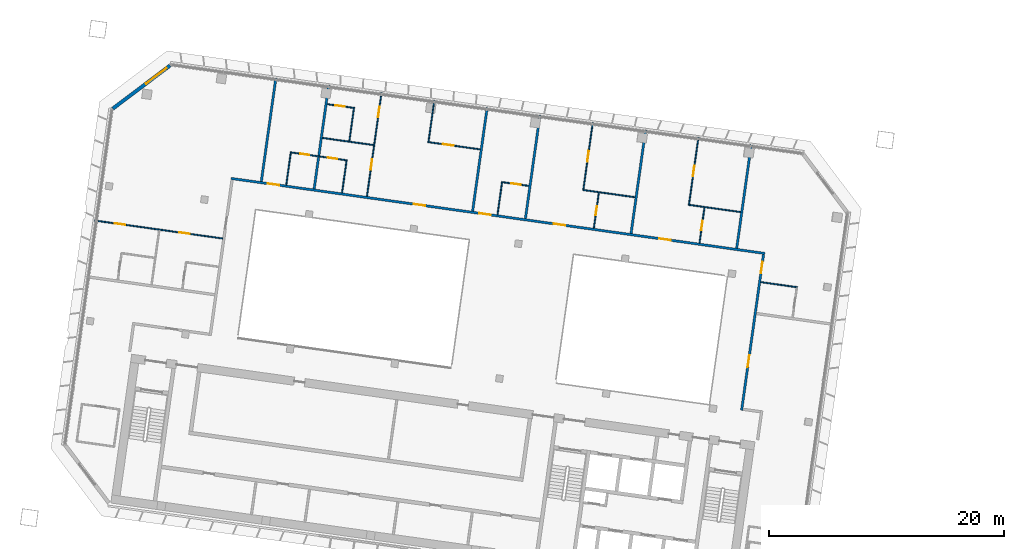
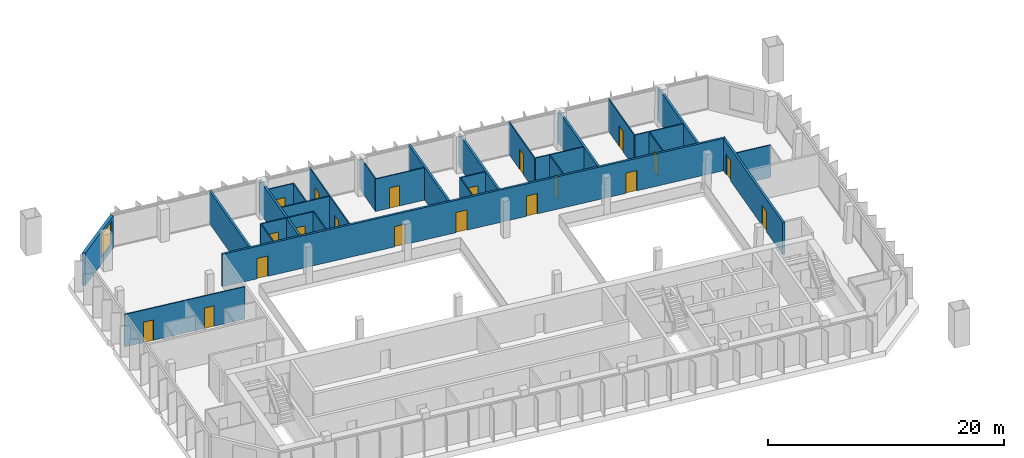
# One storey, part 17 of 25: 28 walls, 20 doors, 1 window, 21 openings.
"""IFC4 building model written with IfcOpenShell, lengths in metres."""

from ifc_helpers import new_model, si_unit, direction, frame, frame_2d, origin, place, context, subcontext, project, spatial, rectangle, extrude, material, layer, layer_set, type_object, element, fill, save


model = new_model("IFC4")

# Units and contexts
model_context = context("Model", 3, precision=1e-05, world=origin(), true_north=direction((0.0, 1.0)))
body_context = subcontext(model_context, "Body", "Model", "MODEL_VIEW")
ifc_project = project(units=[si_unit("LENGTHUNIT", "METRE"), si_unit("AREAUNIT", "SQUARE_METRE"), si_unit("VOLUMEUNIT", "CUBIC_METRE"), si_unit("PLANEANGLEUNIT", "RADIAN"), si_unit("MASSUNIT", "GRAM", prefix="KILO")], contexts=[model_context])

# Site, building, storey
site_placement = place(None, origin())
site = spatial("IfcSite", under=ifc_project, at=site_placement, CompositionType="ELEMENT")
building_placement = place(site_placement, origin())
building = spatial("IfcBuilding", under=site, at=building_placement, Name="Mirante Cascada Hotel Towers", CompositionType="ELEMENT")
storey_placement = place(building_placement, frame((0.0, 0.0, 172.6)))
storey = spatial("IfcBuildingStorey", under=building, at=storey_placement, Name="L40", CompositionType="ELEMENT", Elevation=172.6)

# Wall, openings, doors
ifc_material_1 = material(Name="Fire-rated plasterboard on metal studs")
ifc_layer_1 = layer(ifc_material_1, 0.2)
ifc_layer_set_1 = layer_set([ifc_layer_1], Name="Compartment wall 200 EI 120")
wall_type_1 = type_object("IfcWallType", Name="Compartment wall 200 EI 120", PredefinedType="PARTITIONING", material=ifc_layer_set_1)
wall_1_placement = place(storey_placement, frame((-34.6489, 8.7516, 0.0), z_axis=(0.0, 0.0, 1.0), x_axis=(-0.9902679, 0.1391743, 0.0)))
wall_1 = element("IfcWall", 1, at=wall_1_placement, inside=storey, type_object=wall_type_1, Name="Wall 1-L40-13", PredefinedType="PARTITIONING", context=body_context, shape_type="SweptSolid", body=[
    extrude(rectangle(XDim=45.9, YDim=0.2, at=frame_2d((22.95, 0.0))), origin(), (0.0, 0.0, 1.0), 3.35),
])
opening_1_placement = place(wall_1_placement, frame((8.0777, 0.0, 0.0)))
opening_1 = element("IfcOpeningElement", 2, at=opening_1_placement, cuts=wall_1, Name="Opening D1-L40-06", PredefinedType="OPENING", context=body_context, shape_type="SweptSolid", body=[
    extrude(rectangle(XDim=1.0, YDim=2.1, at=frame_2d((0.5, 1.05))), frame((0.0, 0.1, 0.0), z_axis=(0.0, -1.0, 0.0), x_axis=(1.0, 0.0, 0.0)), (0.0, 0.0, 1.0), 0.2),
])
opening_2_placement = place(wall_1_placement, frame((17.1621, 0.0, 0.0)))
opening_2 = element("IfcOpeningElement", 3, at=opening_2_placement, cuts=wall_1, Name="Opening D1-L40-07", PredefinedType="OPENING", context=body_context, shape_type="SweptSolid", body=[
    extrude(rectangle(XDim=1.0, YDim=2.1, at=frame_2d((0.5, 1.05))), frame((0.0, 0.1, 0.0), z_axis=(0.0, -1.0, 0.0), x_axis=(1.0, 0.0, 0.0)), (0.0, 0.0, 1.0), 0.2),
])
opening_3_placement = place(wall_1_placement, frame((23.5755, 0.0, 0.0)))
opening_3 = element("IfcOpeningElement", 4, at=opening_3_placement, cuts=wall_1, Name="Opening D1-L40-08", PredefinedType="OPENING", context=body_context, shape_type="SweptSolid", body=[
    extrude(rectangle(XDim=1.0, YDim=2.1, at=frame_2d((0.5, 1.05))), frame((0.0, 0.1, 0.0), z_axis=(0.0, -1.0, 0.0), x_axis=(1.0, 0.0, 0.0)), (0.0, 0.0, 1.0), 0.2),
])
opening_4_placement = place(wall_1_placement, frame((29.1888, 0.0, 0.0)))
opening_4 = element("IfcOpeningElement", 5, at=opening_4_placement, cuts=wall_1, Name="Opening D1-L40-09", PredefinedType="OPENING", context=body_context, shape_type="SweptSolid", body=[
    extrude(rectangle(XDim=1.0, YDim=2.1, at=frame_2d((0.5, 1.05))), frame((0.0, 0.1, 0.0), z_axis=(0.0, -1.0, 0.0), x_axis=(1.0, 0.0, 0.0)), (0.0, 0.0, 1.0), 0.2),
])
opening_5_placement = place(wall_1_placement, frame((41.7444, 0.0, 0.0)))
opening_5 = element("IfcOpeningElement", 6, at=opening_5_placement, cuts=wall_1, Name="Opening D1-L40-10", PredefinedType="OPENING", context=body_context, shape_type="SweptSolid", body=[
    extrude(rectangle(XDim=1.0, YDim=2.1, at=frame_2d((0.5, 1.05))), frame((0.0, 0.1, 0.0), z_axis=(0.0, -1.0, 0.0), x_axis=(1.0, 0.0, 0.0)), (0.0, 0.0, 1.0), 0.2),
])
ifc_material_2 = material(Name="Fire-rated timber door leaf", Category="wood")
door_type_1 = type_object("IfcDoorType", Name="Entrance door DG1 1000x2100 EI 60", OperationType="SINGLE_SWING_LEFT", PredefinedType="DOOR", material=ifc_material_2)
door_1_placement = place(opening_1_placement, frame((1.0, 0.0, 0.0), z_axis=(0.0, 0.0, 1.0), x_axis=(-1.0, 0.0, 0.0)))
door_1 = element("IfcDoor", 7, at=door_1_placement, inside=storey, type_object=door_type_1, Name="Door D1-L40-06", OperationType="SINGLE_SWING_RIGHT", OverallHeight=2.1, OverallWidth=1.0, PredefinedType="DOOR", context=body_context, shape_type="SweptSolid", body=[
    extrude(rectangle(XDim=1.0, YDim=2.1, at=frame_2d((0.5, 1.05))), frame((0.0, 0.025, 0.0), z_axis=(0.0, -1.0, 0.0), x_axis=(1.0, 0.0, 0.0)), (0.0, 0.0, 1.0), 0.05),
])
fill(opening_1, door_1)
door_2_placement = place(opening_2_placement, frame((1.0, 0.0, 0.0), z_axis=(0.0, 0.0, 1.0), x_axis=(-1.0, 0.0, 0.0)))
door_2 = element("IfcDoor", 8, at=door_2_placement, inside=storey, type_object=door_type_1, Name="Door D1-L40-07", OperationType="SINGLE_SWING_RIGHT", OverallHeight=2.1, OverallWidth=1.0, PredefinedType="DOOR", context=body_context, shape_type="SweptSolid", body=[
    extrude(rectangle(XDim=1.0, YDim=2.1, at=frame_2d((0.5, 1.05))), frame((0.0, 0.025, 0.0), z_axis=(0.0, -1.0, 0.0), x_axis=(1.0, 0.0, 0.0)), (0.0, 0.0, 1.0), 0.05),
])
fill(opening_2, door_2)
door_3_placement = place(opening_3_placement, frame((1.0, 0.0, 0.0), z_axis=(0.0, 0.0, 1.0), x_axis=(-1.0, 0.0, 0.0)))
door_3 = element("IfcDoor", 9, at=door_3_placement, inside=storey, type_object=door_type_1, Name="Door D1-L40-08", OperationType="SINGLE_SWING_RIGHT", OverallHeight=2.1, OverallWidth=1.0, PredefinedType="DOOR", context=body_context, shape_type="SweptSolid", body=[
    extrude(rectangle(XDim=1.0, YDim=2.1, at=frame_2d((0.5, 1.05))), frame((0.0, 0.025, 0.0), z_axis=(0.0, -1.0, 0.0), x_axis=(1.0, 0.0, 0.0)), (0.0, 0.0, 1.0), 0.05),
])
fill(opening_3, door_3)
door_4_placement = place(opening_4_placement, frame((1.0, 0.0, 0.0), z_axis=(0.0, 0.0, 1.0), x_axis=(-1.0, 0.0, 0.0)))
door_4 = element("IfcDoor", 10, at=door_4_placement, inside=storey, type_object=door_type_1, Name="Door D1-L40-09", OperationType="SINGLE_SWING_RIGHT", OverallHeight=2.1, OverallWidth=1.0, PredefinedType="DOOR", context=body_context, shape_type="SweptSolid", body=[
    extrude(rectangle(XDim=1.0, YDim=2.1, at=frame_2d((0.5, 1.05))), frame((0.0, 0.025, 0.0), z_axis=(0.0, -1.0, 0.0), x_axis=(1.0, 0.0, 0.0)), (0.0, 0.0, 1.0), 0.05),
])
fill(opening_4, door_4)
door_5_placement = place(opening_5_placement, frame((1.0, 0.0, 0.0), z_axis=(0.0, 0.0, 1.0), x_axis=(-1.0, 0.0, 0.0)))
door_5 = element("IfcDoor", 11, at=door_5_placement, inside=storey, type_object=door_type_1, Name="Door D1-L40-10", OperationType="SINGLE_SWING_RIGHT", OverallHeight=2.1, OverallWidth=1.0, PredefinedType="DOOR", context=body_context, shape_type="SweptSolid", body=[
    extrude(rectangle(XDim=1.0, YDim=2.1, at=frame_2d((0.5, 1.05))), frame((0.0, 0.025, 0.0), z_axis=(0.0, -1.0, 0.0), x_axis=(1.0, 0.0, 0.0)), (0.0, 0.0, 1.0), 0.05),
])
fill(opening_5, door_5)

wall_2_placement = place(storey_placement, frame((-34.7618, 8.6665, 0.0), z_axis=(0.0, 0.0, 1.0), x_axis=(-0.1391789, -0.9902673, 0.0)))
wall_2 = element("IfcWall", 12, at=wall_2_placement, inside=storey, type_object=wall_type_1, Name="Wall 1-L40-26", PredefinedType="PARTITIONING", context=body_context, shape_type="SweptSolid", body=[
    extrude(rectangle(XDim=13.4, YDim=0.2, at=frame_2d((6.7, 0.0))), origin(), (0.0, 0.0, 1.0), 3.35),
])
opening_6_placement = place(wall_2_placement, frame((8.6834, 0.0, 0.0)))
opening_6 = element("IfcOpeningElement", 13, at=opening_6_placement, cuts=wall_2, Name="Opening D1-L40-17", PredefinedType="OPENING", context=body_context, shape_type="SweptSolid", body=[
    extrude(rectangle(XDim=1.0, YDim=2.1, at=frame_2d((0.5, 1.05))), frame((0.0, 0.1, 0.0), z_axis=(0.0, -1.0, 0.0), x_axis=(1.0, 0.0, 0.0)), (0.0, 0.0, 1.0), 0.2),
])
opening_7_placement = place(wall_2_placement, frame((0.6334, 0.0, 0.0)))
opening_7 = element("IfcOpeningElement", 14, at=opening_7_placement, cuts=wall_2, Name="Opening D1-L40-18", PredefinedType="OPENING", context=body_context, shape_type="SweptSolid", body=[
    extrude(rectangle(XDim=1.0, YDim=2.1, at=frame_2d((0.5, 1.05))), frame((0.0, 0.1, 0.0), z_axis=(0.0, -1.0, 0.0), x_axis=(1.0, 0.0, 0.0)), (0.0, 0.0, 1.0), 0.2),
])
door_6_placement = place(opening_6_placement, origin())
door_6 = element("IfcDoor", 15, at=door_6_placement, inside=storey, type_object=door_type_1, Name="Door D1-L40-17", OperationType="SINGLE_SWING_LEFT", OverallHeight=2.1, OverallWidth=1.0, PredefinedType="DOOR", context=body_context, shape_type="SweptSolid", body=[
    extrude(rectangle(XDim=1.0, YDim=2.1, at=frame_2d((0.5, 1.05))), frame((0.0, 0.025, 0.0), z_axis=(0.0, -1.0, 0.0), x_axis=(1.0, 0.0, 0.0)), (0.0, 0.0, 1.0), 0.05),
])
fill(opening_6, door_6)
door_7_placement = place(opening_7_placement, origin())
door_7 = element("IfcDoor", 16, at=door_7_placement, inside=storey, type_object=door_type_1, Name="Door D1-L40-18", OperationType="SINGLE_SWING_LEFT", OverallHeight=2.1, OverallWidth=1.0, PredefinedType="DOOR", context=body_context, shape_type="SweptSolid", body=[
    extrude(rectangle(XDim=1.0, YDim=2.1, at=frame_2d((0.5, 1.05))), frame((0.0, 0.025, 0.0), z_axis=(0.0, -1.0, 0.0), x_axis=(1.0, 0.0, 0.0)), (0.0, 0.0, 1.0), 0.05),
])
fill(opening_7, door_7)

# Walls
for number, where, z_axis, x_axis, name in (
    (17, (-37.0468, 9.1896, 0.0), (0.0, 0.0, 1.0), (0.1391794, 0.9902672, 0.0), "Wall 1-L40-27"),
    (18, (-44.8041, 19.2673, 0.0), (0.0, 0.0, 1.0), (-0.1391794, -0.9902672, 0.0), "Wall 1-L40-30"),
    (19, (-55.0389, 11.7182, 0.0), (0.0, 0.0, 1.0), (0.1391794, 0.9902672, 0.0), "Wall 1-L40-33"),
    (20, (-59.5369, 12.3504, 0.0), (0.0, 0.0, 1.0), (0.1391794, 0.9902672, 0.0), "Wall 1-L40-35"),
):
    element("IfcWall", number, at=place(storey_placement, frame(where, z_axis=z_axis, x_axis=x_axis)), inside=storey, type_object=wall_type_1, Name=name, PredefinedType="PARTITIONING", context=body_context, shape_type="SweptSolid", body=[
        extrude(rectangle(XDim=8.9, YDim=0.2, at=frame_2d((4.45, 0.0))), origin(), (0.0, 0.0, 1.0), 3.35),
    ])
wall_3_placement = place(storey_placement, frame((-71.7923, 23.0602, 0.0), z_axis=(0.0, 0.0, 1.0), x_axis=(-0.13917, -0.9902685, 0.0)))
element("IfcWall", 21, at=wall_3_placement, inside=storey, type_object=wall_type_1, Name="Wall 1-L40-40", PredefinedType="PARTITIONING", context=body_context, shape_type="SweptSolid", body=[
    extrude(rectangle(XDim=8.8999, YDim=0.2, at=frame_2d((4.45, 0.0))), origin(), (0.0, 0.0, 1.0), 3.35),
])
wall_4_placement = place(storey_placement, frame((-76.2903, 23.6924, 0.0), z_axis=(0.0, 0.0, 1.0), x_axis=(-0.1391684, -0.9902687, 0.0)))
element("IfcWall", 22, at=wall_4_placement, inside=storey, type_object=wall_type_1, Name="Wall 1-L40-42", PredefinedType="PARTITIONING", context=body_context, shape_type="SweptSolid", body=[
    extrude(rectangle(XDim=8.9, YDim=0.2, at=frame_2d((4.45, 0.0))), origin(), (0.0, 0.0, 1.0), 3.35),
])

# Wall, openings, doors
ifc_material_3 = material(Name="Plasterboard on metal studs")
ifc_layer_2 = layer(ifc_material_3, 0.1)
ifc_layer_set_2 = layer_set([ifc_layer_2], Name="Partition 100")
wall_type_2 = type_object("IfcWallType", Name="Partition 100", PredefinedType="PARTITIONING", material=ifc_layer_set_2)
wall_5_placement = place(storey_placement, frame((-80.8213, 10.0233, 0.0), z_axis=(0.0, 0.0, 1.0), x_axis=(-0.990268, 0.1391733, 0.0)))
wall_5 = element("IfcWall", 23, at=wall_5_placement, inside=storey, type_object=wall_type_2, Name="Wall 1-L40-11", PredefinedType="PARTITIONING", context=body_context, shape_type="SweptSolid", body=[
    extrude(rectangle(XDim=11.0, YDim=0.1, at=frame_2d((5.5, 0.0))), origin(), (0.0, 0.0, 1.0), 3.35),
])
opening_8_placement = place(wall_5_placement, frame((2.825, 0.0, 0.0)))
opening_8 = element("IfcOpeningElement", 24, at=opening_8_placement, cuts=wall_5, Name="Opening D1-L40-04", PredefinedType="OPENING", context=body_context, shape_type="SweptSolid", body=[
    extrude(rectangle(XDim=0.9, YDim=2.1, at=frame_2d((0.45, 1.05))), frame((0.0, 0.05, 0.0), z_axis=(0.0, -1.0, 0.0), x_axis=(1.0, 0.0, 0.0)), (0.0, 0.0, 1.0), 0.1),
])
opening_9_placement = place(wall_5_placement, frame((8.375, 0.0, 0.0)))
opening_9 = element("IfcOpeningElement", 25, at=opening_9_placement, cuts=wall_5, Name="Opening D1-L40-05", PredefinedType="OPENING", context=body_context, shape_type="SweptSolid", body=[
    extrude(rectangle(XDim=0.9, YDim=2.1, at=frame_2d((0.45, 1.05))), frame((0.0, 0.05, 0.0), z_axis=(0.0, -1.0, 0.0), x_axis=(1.0, 0.0, 0.0)), (0.0, 0.0, 1.0), 0.1),
])
ifc_material_4 = material(Name="Timber door leaf", Category="wood")
door_type_2 = type_object("IfcDoorType", Name="Room door DG3 900x2100", OperationType="SINGLE_SWING_LEFT", PredefinedType="DOOR", material=ifc_material_4)
door_8_placement = place(opening_8_placement, frame((0.9, 0.0, 0.0), z_axis=(0.0, 0.0, 1.0), x_axis=(-1.0, 0.0, 0.0)))
door_8 = element("IfcDoor", 26, at=door_8_placement, inside=storey, type_object=door_type_2, Name="Door D1-L40-04", OperationType="SINGLE_SWING_RIGHT", OverallHeight=2.1, OverallWidth=0.9, PredefinedType="DOOR", context=body_context, shape_type="SweptSolid", body=[
    extrude(rectangle(XDim=0.9, YDim=2.1, at=frame_2d((0.45, 1.05))), frame((0.0, 0.025, 0.0), z_axis=(0.0, -1.0, 0.0), x_axis=(1.0, 0.0, 0.0)), (0.0, 0.0, 1.0), 0.05),
])
fill(opening_8, door_8)
door_9_placement = place(opening_9_placement, frame((0.9, 0.0, 0.0), z_axis=(0.0, 0.0, 1.0), x_axis=(-1.0, 0.0, 0.0)))
door_9 = element("IfcDoor", 27, at=door_9_placement, inside=storey, type_object=door_type_2, Name="Door D1-L40-05", OperationType="SINGLE_SWING_RIGHT", OverallHeight=2.1, OverallWidth=0.9, PredefinedType="DOOR", context=body_context, shape_type="SweptSolid", body=[
    extrude(rectangle(XDim=0.9, YDim=2.1, at=frame_2d((0.45, 1.05))), frame((0.0, 0.025, 0.0), z_axis=(0.0, -1.0, 0.0), x_axis=(1.0, 0.0, 0.0)), (0.0, 0.0, 1.0), 0.05),
])
fill(opening_9, door_9)

# Wall
wall_6_placement = place(storey_placement, frame((-34.9922, 6.3089, 0.0), z_axis=(0.0, 0.0, 1.0), x_axis=(0.9902676, -0.1391765, 0.0)))
element("IfcWall", 28, at=wall_6_placement, inside=storey, type_object=wall_type_2, Name="Wall 1-L40-12", PredefinedType="PARTITIONING", context=body_context, shape_type="SweptSolid", body=[
    extrude(rectangle(XDim=3.15, YDim=0.1, at=frame_2d((1.575, 0.0))), origin(), (0.0, 0.0, 1.0), 3.35),
])

# Wall, opening, door
wall_7_placement = place(storey_placement, frame((-56.9763, 14.818, 0.0), z_axis=(0.0, 0.0, 1.0), x_axis=(0.9902705, -0.1391561, 0.0)))
wall_7 = element("IfcWall", 29, at=wall_7_placement, inside=storey, type_object=wall_type_2, Name="Wall 1-L40-14", PredefinedType="PARTITIONING", context=body_context, shape_type="SweptSolid", body=[
    extrude(rectangle(XDim=2.25, YDim=0.1, at=frame_2d((1.125, 0.0))), origin(), (0.0, 0.0, 1.0), 3.35),
])
opening_10_placement = place(wall_7_placement, frame((0.75, 0.0, 0.0)))
opening_10 = element("IfcOpeningElement", 30, at=opening_10_placement, cuts=wall_7, Name="Opening D1-L40-11", PredefinedType="OPENING", context=body_context, shape_type="SweptSolid", body=[
    extrude(rectangle(XDim=0.8, YDim=2.1, at=frame_2d((0.4, 1.05))), frame((0.0, 0.05, 0.0), z_axis=(0.0, -1.0, 0.0), x_axis=(1.0, 0.0, 0.0)), (0.0, 0.0, 1.0), 0.1),
])
ifc_material_5 = material(Name="Timber door leaf", Category="wood")
door_type_3 = type_object("IfcDoorType", Name="Bathroom door DG4 800x2100", OperationType="SINGLE_SWING_LEFT", PredefinedType="DOOR", material=ifc_material_5)
door_10_placement = place(opening_10_placement, origin())
door_10 = element("IfcDoor", 31, at=door_10_placement, inside=storey, type_object=door_type_3, Name="Door D1-L40-11", OperationType="SINGLE_SWING_LEFT", OverallHeight=2.1, OverallWidth=0.8, PredefinedType="DOOR", context=body_context, shape_type="SweptSolid", body=[
    extrude(rectangle(XDim=0.8, YDim=2.1, at=frame_2d((0.4, 1.05))), frame((0.0, 0.025, 0.0), z_axis=(0.0, -1.0, 0.0), x_axis=(1.0, 0.0, 0.0)), (0.0, 0.0, 1.0), 0.05),
])
fill(opening_10, door_10)

# Wall, openings, doors
wall_8_placement = place(storey_placement, frame((-70.2151, 16.6786, 0.0), z_axis=(0.0, 0.0, 1.0), x_axis=(-0.9902666, 0.1391838, 0.0)))
wall_8 = element("IfcWall", 32, at=wall_8_placement, inside=storey, type_object=wall_type_2, Name="Wall 1-L40-15", PredefinedType="PARTITIONING", context=body_context, shape_type="SweptSolid", body=[
    extrude(rectangle(XDim=4.9, YDim=0.1, at=frame_2d((2.45, 0.0))), origin(), (0.0, 0.0, 1.0), 3.35),
])
opening_11_placement = place(wall_8_placement, frame((0.85, 0.0, 0.0)))
opening_11 = element("IfcOpeningElement", 33, at=opening_11_placement, cuts=wall_8, Name="Opening D1-L40-12", PredefinedType="OPENING", context=body_context, shape_type="SweptSolid", body=[
    extrude(rectangle(XDim=0.8, YDim=2.1, at=frame_2d((0.4, 1.05))), frame((0.0, 0.05, 0.0), z_axis=(0.0, -1.0, 0.0), x_axis=(1.0, 0.0, 0.0)), (0.0, 0.0, 1.0), 0.1),
])
opening_12_placement = place(wall_8_placement, frame((3.25, 0.0, 0.0)))
opening_12 = element("IfcOpeningElement", 34, at=opening_12_placement, cuts=wall_8, Name="Opening D1-L40-13", PredefinedType="OPENING", context=body_context, shape_type="SweptSolid", body=[
    extrude(rectangle(XDim=0.8, YDim=2.1, at=frame_2d((0.4, 1.05))), frame((0.0, 0.05, 0.0), z_axis=(0.0, -1.0, 0.0), x_axis=(1.0, 0.0, 0.0)), (0.0, 0.0, 1.0), 0.1),
])
door_11_placement = place(opening_11_placement, origin())
door_11 = element("IfcDoor", 35, at=door_11_placement, inside=storey, type_object=door_type_3, Name="Door D1-L40-12", OperationType="SINGLE_SWING_LEFT", OverallHeight=2.1, OverallWidth=0.8, PredefinedType="DOOR", context=body_context, shape_type="SweptSolid", body=[
    extrude(rectangle(XDim=0.8, YDim=2.1, at=frame_2d((0.4, 1.05))), frame((0.0, 0.025, 0.0), z_axis=(0.0, -1.0, 0.0), x_axis=(1.0, 0.0, 0.0)), (0.0, 0.0, 1.0), 0.05),
])
fill(opening_11, door_11)
door_12_placement = place(opening_12_placement, frame((0.8, 0.0, 0.0), z_axis=(0.0, 0.0, 1.0), x_axis=(-1.0, 0.0, 0.0)))
door_12 = element("IfcDoor", 36, at=door_12_placement, inside=storey, type_object=door_type_3, Name="Door D1-L40-13", OperationType="SINGLE_SWING_RIGHT", OverallHeight=2.1, OverallWidth=0.8, PredefinedType="DOOR", context=body_context, shape_type="SweptSolid", body=[
    extrude(rectangle(XDim=0.8, YDim=2.1, at=frame_2d((0.4, 1.05))), frame((0.0, 0.025, 0.0), z_axis=(0.0, -1.0, 0.0), x_axis=(1.0, 0.0, 0.0)), (0.0, 0.0, 1.0), 0.05),
])
fill(opening_12, door_12)

# Walls
wall_9_placement = place(storey_placement, frame((-41.0638, 12.8846, 0.0), z_axis=(0.0, 0.0, 1.0), x_axis=(0.9902702, -0.1391579, 0.0)))
element("IfcWall", 37, at=wall_9_placement, inside=storey, type_object=wall_type_2, Name="Wall 1-L40-16", PredefinedType="PARTITIONING", context=body_context, shape_type="SweptSolid", body=[
    extrude(rectangle(XDim=4.3921, YDim=0.1, at=frame_2d((2.196, 0.0))), origin(), (0.0, 0.0, 1.0), 3.35),
])
for number, where, z_axis, x_axis, name in (
    (38, (-45.7104, 13.5377, 0.0), (0.0, 0.0, 1.0), (-0.9902675, 0.139177, 0.0), "Wall 1-L40-17"),
    (39, (-72.3196, 18.5901, 0.0), (0.0, 0.0, 1.0), (0.9902675, -0.139177, 0.0), "Wall 1-L40-18"),
):
    element("IfcWall", number, at=place(storey_placement, frame(where, z_axis=z_axis, x_axis=x_axis)), inside=storey, type_object=wall_type_2, Name=name, PredefinedType="PARTITIONING", context=body_context, shape_type="SweptSolid", body=[
        extrude(rectangle(XDim=4.3922, YDim=0.1, at=frame_2d((2.1961, 0.0))), origin(), (0.0, 0.0, 1.0), 3.35),
    ])

# Wall, opening, door
wall_10_placement = place(storey_placement, frame((-58.8983, 17.6127, 0.0), z_axis=(0.0, 0.0, 1.0), x_axis=(-0.9902679, 0.139174, 0.0)))
wall_10 = element("IfcWall", 40, at=wall_10_placement, inside=storey, type_object=wall_type_2, Name="Wall 1-L40-19", PredefinedType="PARTITIONING", context=body_context, shape_type="SweptSolid", body=[
    extrude(rectangle(XDim=4.4922, YDim=0.1, at=frame_2d((2.2461, 0.0))), origin(), (0.0, 0.0, 1.0), 3.35),
])
opening_13_placement = place(wall_10_placement, frame((2.288, 0.0, 0.0)))
opening_13 = element("IfcOpeningElement", 41, at=opening_13_placement, cuts=wall_10, Name="Opening D1-L40-14", PredefinedType="OPENING", context=body_context, shape_type="SweptSolid", body=[
    extrude(rectangle(XDim=0.9, YDim=2.1, at=frame_2d((0.45, 1.05))), frame((0.0, 0.05, 0.0), z_axis=(0.0, -1.0, 0.0), x_axis=(1.0, 0.0, 0.0)), (0.0, 0.0, 1.0), 0.1),
])
door_13_placement = place(opening_13_placement, origin())
door_13 = element("IfcDoor", 42, at=door_13_placement, inside=storey, type_object=door_type_2, Name="Door D1-L40-14", OperationType="SINGLE_SWING_LEFT", OverallHeight=2.1, OverallWidth=0.9, PredefinedType="DOOR", context=body_context, shape_type="SweptSolid", body=[
    extrude(rectangle(XDim=0.9, YDim=2.1, at=frame_2d((0.45, 1.05))), frame((0.0, 0.025, 0.0), z_axis=(0.0, -1.0, 0.0), x_axis=(1.0, 0.0, 0.0)), (0.0, 0.0, 1.0), 0.05),
])
fill(opening_13, door_13)

wall_11_placement = place(storey_placement, frame((-71.916, 21.4619, 0.0), z_axis=(0.0, 0.0, 1.0), x_axis=(0.9902705, -0.1391561, 0.0)))
wall_11 = element("IfcWall", 43, at=wall_11_placement, inside=storey, type_object=wall_type_2, Name="Wall 1-L40-20", PredefinedType="PARTITIONING", context=body_context, shape_type="SweptSolid", body=[
    extrude(rectangle(XDim=2.25, YDim=0.1, at=frame_2d((1.125, 0.0))), origin(), (0.0, 0.0, 1.0), 3.35),
])
opening_14_placement = place(wall_11_placement, frame((0.7, 0.0, 0.0)))
opening_14 = element("IfcOpeningElement", 44, at=opening_14_placement, cuts=wall_11, Name="Opening D1-L40-15", PredefinedType="OPENING", context=body_context, shape_type="SweptSolid", body=[
    extrude(rectangle(XDim=0.8, YDim=2.1, at=frame_2d((0.4, 1.05))), frame((0.0, 0.05, 0.0), z_axis=(0.0, -1.0, 0.0), x_axis=(1.0, 0.0, 0.0)), (0.0, 0.0, 1.0), 0.1),
])
door_14_placement = place(opening_14_placement, frame((0.8, 0.0, 0.0), z_axis=(0.0, 0.0, 1.0), x_axis=(-1.0, 0.0, 0.0)))
door_14 = element("IfcDoor", 45, at=door_14_placement, inside=storey, type_object=door_type_3, Name="Door D1-L40-15", OperationType="SINGLE_SWING_RIGHT", OverallHeight=2.1, OverallWidth=0.8, PredefinedType="DOOR", context=body_context, shape_type="SweptSolid", body=[
    extrude(rectangle(XDim=0.8, YDim=2.1, at=frame_2d((0.4, 1.05))), frame((0.0, 0.025, 0.0), z_axis=(0.0, -1.0, 0.0), x_axis=(1.0, 0.0, 0.0)), (0.0, 0.0, 1.0), 0.05),
])
fill(opening_14, door_14)

wall_12_placement = place(storey_placement, frame((-39.7912, 12.6553, 0.0), z_axis=(0.0, 0.0, 1.0), x_axis=(-0.1391488, -0.9902715, 0.0)))
wall_12 = element("IfcWall", 46, at=wall_12_placement, inside=storey, type_object=wall_type_2, Name="Wall 1-L40-28", PredefinedType="PARTITIONING", context=body_context, shape_type="SweptSolid", body=[
    extrude(rectangle(XDim=3.05, YDim=0.1, at=frame_2d((1.525, 0.0))), origin(), (0.0, 0.0, 1.0), 3.35),
])
opening_15_placement = place(wall_12_placement, frame((1.15, 0.0, 0.0)))
opening_15 = element("IfcOpeningElement", 47, at=opening_15_placement, cuts=wall_12, Name="Opening D1-L40-19", PredefinedType="OPENING", context=body_context, shape_type="SweptSolid", body=[
    extrude(rectangle(XDim=0.8, YDim=2.1, at=frame_2d((0.4, 1.05))), frame((0.0, 0.05, 0.0), z_axis=(0.0, -1.0, 0.0), x_axis=(1.0, 0.0, 0.0)), (0.0, 0.0, 1.0), 0.1),
])
door_15_placement = place(opening_15_placement, frame((0.8, 0.0, 0.0), z_axis=(0.0, 0.0, 1.0), x_axis=(-1.0, 0.0, 0.0)))
door_15 = element("IfcDoor", 48, at=door_15_placement, inside=storey, type_object=door_type_3, Name="Door D1-L40-19", OperationType="SINGLE_SWING_RIGHT", OverallHeight=2.1, OverallWidth=0.8, PredefinedType="DOOR", context=body_context, shape_type="SweptSolid", body=[
    extrude(rectangle(XDim=0.8, YDim=2.1, at=frame_2d((0.4, 1.05))), frame((0.0, 0.025, 0.0), z_axis=(0.0, -1.0, 0.0), x_axis=(1.0, 0.0, 0.0)), (0.0, 0.0, 1.0), 0.05),
])
fill(opening_15, door_15)

wall_13_placement = place(storey_placement, frame((-41.1203, 12.8421, 0.0), z_axis=(0.0, 0.0, 1.0), x_axis=(0.1391786, 0.9902673, 0.0)))
wall_13 = element("IfcWall", 49, at=wall_13_placement, inside=storey, type_object=wall_type_2, Name="Wall 1-L40-29", PredefinedType="PARTITIONING", context=body_context, shape_type="SweptSolid", body=[
    extrude(rectangle(XDim=5.85, YDim=0.1, at=frame_2d((2.925, 0.0))), origin(), (0.0, 0.0, 1.0), 3.35),
])
opening_16_placement = place(wall_13_placement, frame((2.5, 0.0, 0.0)))
opening_16 = element("IfcOpeningElement", 50, at=opening_16_placement, cuts=wall_13, Name="Opening D1-L40-20", PredefinedType="OPENING", context=body_context, shape_type="SweptSolid", body=[
    extrude(rectangle(XDim=0.9, YDim=2.1, at=frame_2d((0.45, 1.05))), frame((0.0, 0.05, 0.0), z_axis=(0.0, -1.0, 0.0), x_axis=(1.0, 0.0, 0.0)), (0.0, 0.0, 1.0), 0.1),
])
door_16_placement = place(opening_16_placement, origin())
door_16 = element("IfcDoor", 51, at=door_16_placement, inside=storey, type_object=door_type_2, Name="Door D1-L40-20", OperationType="SINGLE_SWING_LEFT", OverallHeight=2.1, OverallWidth=0.9, PredefinedType="DOOR", context=body_context, shape_type="SweptSolid", body=[
    extrude(rectangle(XDim=0.9, YDim=2.1, at=frame_2d((0.45, 1.05))), frame((0.0, 0.025, 0.0), z_axis=(0.0, -1.0, 0.0), x_axis=(1.0, 0.0, 0.0)), (0.0, 0.0, 1.0), 0.05),
])
fill(opening_16, door_16)

wall_14_placement = place(storey_placement, frame((-49.2116, 10.8993, 0.0), z_axis=(0.0, 0.0, 1.0), x_axis=(0.1391488, 0.9902715, 0.0)))
wall_14 = element("IfcWall", 52, at=wall_14_placement, inside=storey, type_object=wall_type_2, Name="Wall 1-L40-31", PredefinedType="PARTITIONING", context=body_context, shape_type="SweptSolid", body=[
    extrude(rectangle(XDim=3.05, YDim=0.1, at=frame_2d((1.525, 0.0))), origin(), (0.0, 0.0, 1.0), 3.35),
])
opening_17_placement = place(wall_14_placement, frame((1.1, 0.0, 0.0)))
opening_17 = element("IfcOpeningElement", 53, at=opening_17_placement, cuts=wall_14, Name="Opening D1-L40-21", PredefinedType="OPENING", context=body_context, shape_type="SweptSolid", body=[
    extrude(rectangle(XDim=0.8, YDim=2.1, at=frame_2d((0.4, 1.05))), frame((0.0, 0.05, 0.0), z_axis=(0.0, -1.0, 0.0), x_axis=(1.0, 0.0, 0.0)), (0.0, 0.0, 1.0), 0.1),
])
door_17_placement = place(opening_17_placement, origin())
door_17 = element("IfcDoor", 54, at=door_17_placement, inside=storey, type_object=door_type_3, Name="Door D1-L40-21", OperationType="SINGLE_SWING_LEFT", OverallHeight=2.1, OverallWidth=0.8, PredefinedType="DOOR", context=body_context, shape_type="SweptSolid", body=[
    extrude(rectangle(XDim=0.8, YDim=2.1, at=frame_2d((0.4, 1.05))), frame((0.0, 0.025, 0.0), z_axis=(0.0, -1.0, 0.0), x_axis=(1.0, 0.0, 0.0)), (0.0, 0.0, 1.0), 0.05),
])
fill(opening_17, door_17)

wall_15_placement = place(storey_placement, frame((-49.3022, 19.8995, 0.0), z_axis=(0.0, 0.0, 1.0), x_axis=(-0.1391786, -0.9902673, 0.0)))
wall_15 = element("IfcWall", 55, at=wall_15_placement, inside=storey, type_object=wall_type_2, Name="Wall 1-L40-32", PredefinedType="PARTITIONING", context=body_context, shape_type="SweptSolid", body=[
    extrude(rectangle(XDim=5.85, YDim=0.1, at=frame_2d((2.925, 0.0))), origin(), (0.0, 0.0, 1.0), 3.35),
])
opening_18_placement = place(wall_15_placement, frame((2.45, 0.0, 0.0)))
opening_18 = element("IfcOpeningElement", 56, at=opening_18_placement, cuts=wall_15, Name="Opening D1-L40-22", PredefinedType="OPENING", context=body_context, shape_type="SweptSolid", body=[
    extrude(rectangle(XDim=0.9, YDim=2.1, at=frame_2d((0.45, 1.05))), frame((0.0, 0.05, 0.0), z_axis=(0.0, -1.0, 0.0), x_axis=(1.0, 0.0, 0.0)), (0.0, 0.0, 1.0), 0.1),
])
door_18_placement = place(opening_18_placement, frame((0.9, 0.0, 0.0), z_axis=(0.0, 0.0, 1.0), x_axis=(-1.0, 0.0, 0.0)))
door_18 = element("IfcDoor", 57, at=door_18_placement, inside=storey, type_object=door_type_2, Name="Door D1-L40-22", OperationType="SINGLE_SWING_RIGHT", OverallHeight=2.1, OverallWidth=0.9, PredefinedType="DOOR", context=body_context, shape_type="SweptSolid", body=[
    extrude(rectangle(XDim=0.9, YDim=2.1, at=frame_2d((0.45, 1.05))), frame((0.0, 0.025, 0.0), z_axis=(0.0, -1.0, 0.0), x_axis=(1.0, 0.0, 0.0)), (0.0, 0.0, 1.0), 0.05),
])
fill(opening_18, door_18)

# Walls
wall_16_placement = place(storey_placement, frame((-57.0189, 14.8745, 0.0), z_axis=(0.0, 0.0, 1.0), x_axis=(-0.1391613, -0.9902697, 0.0)))
element("IfcWall", 58, at=wall_16_placement, inside=storey, type_object=wall_type_2, Name="Wall 1-L40-34", PredefinedType="PARTITIONING", context=body_context, shape_type="SweptSolid", body=[
    extrude(rectangle(XDim=2.8499, YDim=0.1, at=frame_2d((1.425, 0.0))), origin(), (0.0, 0.0, 1.0), 3.35),
])
wall_17_placement = place(storey_placement, frame((-62.7962, 21.7959, 0.0), z_axis=(0.0, 0.0, 1.0), x_axis=(-0.1391849, -0.9902664, 0.0)))
element("IfcWall", 59, at=wall_17_placement, inside=storey, type_object=wall_type_2, Name="Wall 1-L40-36", PredefinedType="PARTITIONING", context=body_context, shape_type="SweptSolid", body=[
    extrude(rectangle(XDim=3.55, YDim=0.1, at=frame_2d((1.775, 0.0))), origin(), (0.0, 0.0, 1.0), 3.35),
])

# Wall, openings, doors
wall_18_placement = place(storey_placement, frame((-68.533, 13.6147, 0.0), z_axis=(0.0, 0.0, 1.0), x_axis=(0.1391794, 0.9902672, 0.0)))
wall_18 = element("IfcWall", 60, at=wall_18_placement, inside=storey, type_object=wall_type_2, Name="Wall 1-L40-37", PredefinedType="PARTITIONING", context=body_context, shape_type="SweptSolid", body=[
    extrude(rectangle(XDim=8.9, YDim=0.1, at=frame_2d((4.45, 0.0))), origin(), (0.0, 0.0, 1.0), 3.35),
])
opening_19_placement = place(wall_18_placement, frame((2.3, 0.0, 0.0)))
opening_19 = element("IfcOpeningElement", 61, at=opening_19_placement, cuts=wall_18, Name="Opening D1-L40-23", PredefinedType="OPENING", context=body_context, shape_type="SweptSolid", body=[
    extrude(rectangle(XDim=0.9, YDim=2.1, at=frame_2d((0.45, 1.05))), frame((0.0, 0.05, 0.0), z_axis=(0.0, -1.0, 0.0), x_axis=(1.0, 0.0, 0.0)), (0.0, 0.0, 1.0), 0.1),
])
opening_20_placement = place(wall_18_placement, frame((6.8, 0.0, 0.0)))
opening_20 = element("IfcOpeningElement", 62, at=opening_20_placement, cuts=wall_18, Name="Opening D1-L40-24", PredefinedType="OPENING", context=body_context, shape_type="SweptSolid", body=[
    extrude(rectangle(XDim=0.9, YDim=2.1, at=frame_2d((0.45, 1.05))), frame((0.0, 0.05, 0.0), z_axis=(0.0, -1.0, 0.0), x_axis=(1.0, 0.0, 0.0)), (0.0, 0.0, 1.0), 0.1),
])
door_19_placement = place(opening_19_placement, frame((0.9, 0.0, 0.0), z_axis=(0.0, 0.0, 1.0), x_axis=(-1.0, 0.0, 0.0)))
door_19 = element("IfcDoor", 63, at=door_19_placement, inside=storey, type_object=door_type_2, Name="Door D1-L40-23", OperationType="SINGLE_SWING_RIGHT", OverallHeight=2.1, OverallWidth=0.9, PredefinedType="DOOR", context=body_context, shape_type="SweptSolid", body=[
    extrude(rectangle(XDim=0.9, YDim=2.1, at=frame_2d((0.45, 1.05))), frame((0.0, 0.025, 0.0), z_axis=(0.0, -1.0, 0.0), x_axis=(1.0, 0.0, 0.0)), (0.0, 0.0, 1.0), 0.05),
])
fill(opening_19, door_19)
door_20_placement = place(opening_20_placement, frame((0.9, 0.0, 0.0), z_axis=(0.0, 0.0, 1.0), x_axis=(-1.0, 0.0, 0.0)))
door_20 = element("IfcDoor", 64, at=door_20_placement, inside=storey, type_object=door_type_2, Name="Door D1-L40-24", OperationType="SINGLE_SWING_RIGHT", OverallHeight=2.1, OverallWidth=0.9, PredefinedType="DOOR", context=body_context, shape_type="SweptSolid", body=[
    extrude(rectangle(XDim=0.9, YDim=2.1, at=frame_2d((0.45, 1.05))), frame((0.0, 0.025, 0.0), z_axis=(0.0, -1.0, 0.0), x_axis=(1.0, 0.0, 0.0)), (0.0, 0.0, 1.0), 0.05),
])
fill(opening_20, door_20)

# Walls
wall_19_placement = place(storey_placement, frame((-70.2716, 16.6361, 0.0), z_axis=(0.0, 0.0, 1.0), x_axis=(-0.1391607, -0.9902698, 0.0)))
element("IfcWall", 65, at=wall_19_placement, inside=storey, type_object=wall_type_2, Name="Wall 1-L40-38", PredefinedType="PARTITIONING", context=body_context, shape_type="SweptSolid", body=[
    extrude(rectangle(XDim=2.7501, YDim=0.1, at=frame_2d((1.3751, 0.0))), origin(), (0.0, 0.0, 1.0), 3.35),
])
wall_20_placement = place(storey_placement, frame((-70.035, 18.3195, 0.0), z_axis=(0.0, 0.0, 1.0), x_axis=(0.1391714, 0.9902683, 0.0)))
element("IfcWall", 66, at=wall_20_placement, inside=storey, type_object=wall_type_2, Name="Wall 1-L40-39", PredefinedType="PARTITIONING", context=body_context, shape_type="SweptSolid", body=[
    extrude(rectangle(XDim=2.9, YDim=0.1, at=frame_2d((1.45, 0.0))), origin(), (0.0, 0.0, 1.0), 3.35),
])
wall_21_placement = place(storey_placement, frame((-75.4076, 14.5809, 0.0), z_axis=(0.0, 0.0, 1.0), x_axis=(0.1391657, 0.9902691, 0.0)))
element("IfcWall", 67, at=wall_21_placement, inside=storey, type_object=wall_type_2, Name="Wall 1-L40-41", PredefinedType="PARTITIONING", context=body_context, shape_type="SweptSolid", body=[
    extrude(rectangle(XDim=2.75, YDim=0.1, at=frame_2d((1.375, 0.0))), origin(), (0.0, 0.0, 1.0), 3.35),
])

# Wall, opening, window
ifc_material_6 = material(Name="Precast concrete C40/50", Category="concrete")
ifc_layer_3 = layer(ifc_material_6, 0.3)
ifc_layer_set_3 = layer_set([ifc_layer_3], Name="Precast concrete C40/50 cladding wall 300")
wall_type_3 = type_object("IfcWallType", Name="Precast concrete C40/50 cladding wall 300", PredefinedType="STANDARD", material=ifc_layer_set_3)
wall_22_placement = place(storey_placement, frame((-90.1795, 21.0817, 0.0), z_axis=(0.0, 0.0, 1.0), x_axis=(0.7986362, 0.6018141, 0.0)))
wall_22 = element("IfcWall", 68, at=wall_22_placement, inside=storey, type_object=wall_type_3, Name="Corner cladding wall T1 L40 outer front", PredefinedType="STANDARD", context=body_context, shape_type="SweptSolid", body=[
    extrude(rectangle(XDim=6.1157, YDim=0.3, at=frame_2d((3.0578, 0.0))), origin(), (0.0, 0.0, 1.0), 3.35),
])
opening_21_placement = place(wall_22_placement, frame((3.5243, 0.0, 0.6)))
opening_21 = element("IfcOpeningElement", 69, at=opening_21_placement, cuts=wall_22, Name="Opening W1-40-02", PredefinedType="OPENING", context=body_context, shape_type="SweptSolid", body=[
    extrude(rectangle(XDim=2.2, YDim=2.4, at=frame_2d((1.1, 1.2))), frame((0.0, 0.15, 0.0), z_axis=(0.0, -1.0, 0.0), x_axis=(1.0, 0.0, 0.0)), (0.0, 0.0, 1.0), 0.3),
])
ifc_material_7 = material(Name="Aluminium frame with clear double glazing", Category="aluminium")
window_type = type_object("IfcWindowType", Name="Corner suite window 2200x2400", PartitioningType="DOUBLE_PANEL_VERTICAL", PredefinedType="WINDOW", material=ifc_material_7)
window_placement = place(opening_21_placement, origin())
window = element("IfcWindow", 70, at=window_placement, inside=storey, type_object=window_type, Name="Window W1-40-02", OverallHeight=2.4, OverallWidth=2.2, PartitioningType="SINGLE_PANEL", PredefinedType="WINDOW", context=body_context, shape_type="SweptSolid", body=[
    extrude(rectangle(XDim=2.2, YDim=2.4, at=frame_2d((1.1, 1.2))), frame((0.0, 0.03, 0.0), z_axis=(0.0, -1.0, 0.0), x_axis=(1.0, 0.0, 0.0)), (0.0, 0.0, 1.0), 0.06),
])
fill(opening_21, window)

save(model, "model.ifc")
